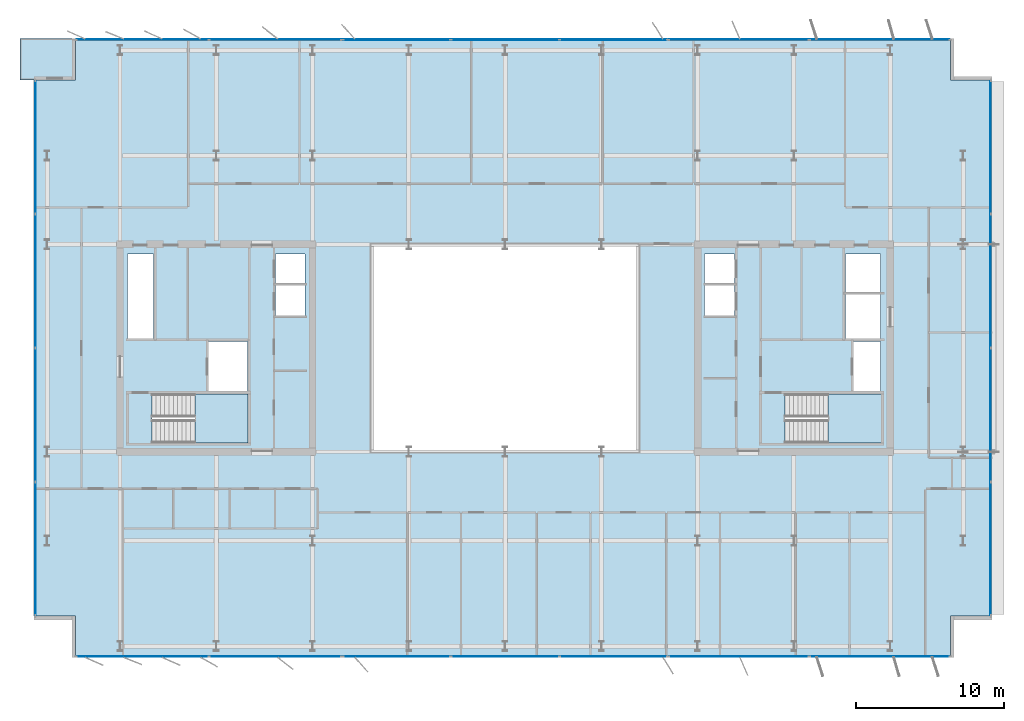
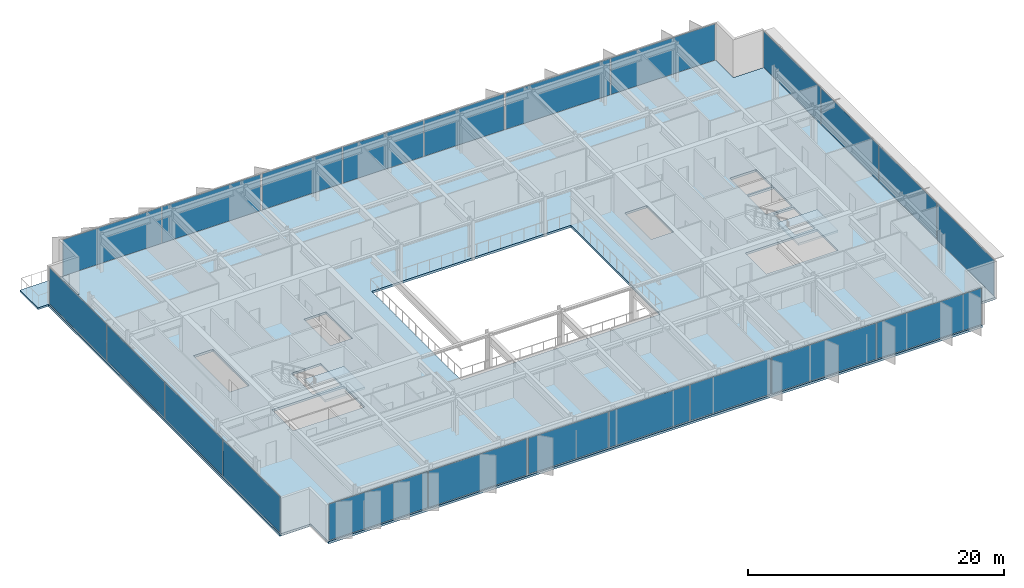
# One storey, part 11 of 20: 22 plates, 4 slabs, 10 elements without a shape of their own.
"""IFC4 building model written with IfcOpenShell, lengths in metres."""

from ifc_helpers import new_model, si_unit, direction, frame, origin, origin_2d, place, context, subcontext, project, spatial, polyline, rectangle, outline, extrude, material, layer, layer_set, type_object, element, aggregate, save


model = new_model("IFC4")

# Units and contexts
model_context = context("Model", 3, precision=1e-05, world=origin(), true_north=direction((0.0, 1.0)))
body_context = subcontext(model_context, "Body", "Model", "MODEL_VIEW")
ifc_project = project(units=[si_unit("LENGTHUNIT", "METRE"), si_unit("AREAUNIT", "SQUARE_METRE"), si_unit("VOLUMEUNIT", "CUBIC_METRE"), si_unit("PLANEANGLEUNIT", "RADIAN"), si_unit("MASSUNIT", "GRAM", prefix="KILO")], contexts=[model_context])

# Site, building, storey
site_placement = place(None, origin())
site = spatial("IfcSite", under=ifc_project, at=site_placement, CompositionType="ELEMENT")
building_placement = place(site_placement, origin())
building = spatial("IfcBuilding", under=site, at=building_placement, Name="Putna Gate Headquarters", CompositionType="ELEMENT")
storey_placement = place(building_placement, frame((0.0, 0.0, 274.60009765625)))
storey = spatial("IfcBuildingStorey", under=building, at=storey_placement, Name="L69", CompositionType="ELEMENT", Elevation=274.60009765625)

# Stair, slab
ifc_material_1 = material(Name="Concrete C40/50", Category="concrete")
stair_type_1 = type_object("IfcStairType", Name="STAIR-ST1", PredefinedType="HALF_TURN_STAIR", material=ifc_material_1)
stair_1_placement = place(storey_placement, origin())
stair_1 = element("IfcStair", 1, at=stair_1_placement, inside=storey, type_object=stair_type_1, Name="L69 West Core Exit Stair ST1", PredefinedType="HALF_TURN_STAIR")
ifc_layer_1 = layer(ifc_material_1, 0.199951171875)
ifc_layer_set_1 = layer_set([ifc_layer_1], Name="Concrete C40/50")
slab_type_1 = type_object("IfcSlabType", Name="LANDING-ST1", PredefinedType="LANDING", material=ifc_layer_set_1)
slab_1_placement = place(storey_placement, frame((0.0, 0.0, 1.699951171875)))
slab_1 = element("IfcSlab", 2, at=slab_1_placement, type_object=slab_type_1, Name="ST1 landing 1", PredefinedType="LANDING", context=body_context, shape_type="SweptSolid", body=[
    extrude(outline(polyline([(18.050048828125, 19.60009765625), (21.64990234375, 19.60009765625), (21.64990234375, 22.89990234375), (18.050048828125, 22.89990234375), (18.050048828125, 19.60009765625)])), origin(), (0.0, 0.0, 1.0), 0.199951171875),
])
aggregate(stair_1, [slab_1])

stair_type_2 = type_object("IfcStairType", Name="STAIR-ST2", PredefinedType="HALF_TURN_STAIR", material=ifc_material_1)
stair_2_placement = place(storey_placement, origin())
stair_2 = element("IfcStair", 3, at=stair_2_placement, inside=storey, type_object=stair_type_2, Name="L69 East Core Exit Stair ST2", PredefinedType="HALF_TURN_STAIR")
ifc_layer_2 = layer(ifc_material_1, 0.199951171875)
ifc_layer_set_2 = layer_set([ifc_layer_2], Name="Concrete C40/50")
slab_type_2 = type_object("IfcSlabType", Name="LANDING-ST2", PredefinedType="LANDING", material=ifc_layer_set_2)
slab_2_placement = place(storey_placement, frame((0.0, 0.0, 1.699951171875)))
slab_2 = element("IfcSlab", 4, at=slab_2_placement, type_object=slab_type_2, Name="ST2 landing 1", PredefinedType="LANDING", context=body_context, shape_type="SweptSolid", body=[
    extrude(outline(polyline([(60.800048828125, 19.60009765625), (64.39990234375, 19.60009765625), (64.39990234375, 22.89990234375), (60.800048828125, 22.89990234375), (60.800048828125, 19.60009765625)])), origin(), (0.0, 0.0, 1.0), 0.199951171875),
])
aggregate(stair_2, [slab_2])

# Curtain wall, plates
ifc_material_2 = material(Name="Anodised bronze aluminium curtain wall", Category="aluminium")
ifc_layer_3 = layer(ifc_material_2, 0.179931640625)
ifc_layer_set_3 = layer_set([ifc_layer_3], Name="Anodised bronze aluminium curtain wall")
curtain_wall_type_1 = type_object("IfcCurtainWallType", Name="CW-SYS-Z5", PredefinedType="USERDEFINED", material=ifc_layer_set_3)
curtain_wall_1_placement = place(storey_placement, origin())
curtain_wall_1 = element("IfcCurtainWall", 5, at=curtain_wall_1_placement, inside=storey, type_object=curtain_wall_type_1, Name="L69 South West Curtain Wall", ObjectType="STICK CURTAIN WALL", PredefinedType="USERDEFINED")
ifc_material_3 = material(Name="Solar-control triple low-E glass", Category="glass")
ifc_layer_4 = layer(ifc_material_3, 0.033935546875)
ifc_layer_set_4 = layer_set([ifc_layer_4], Name="Solar-control triple low-E glass")
plate_type_1 = type_object("IfcPlateType", Name="PAN-CWP-5", PredefinedType="CURTAIN_PANEL", material=ifc_layer_set_4)
plate_1_placement = place(storey_placement, frame((14.517578125, 5.179931640625, 0.06005859375), z_axis=(0.0, 0.0, 1.0), x_axis=(1.0, 0.0, 0.0)))
plate_1 = element("IfcPlate", 6, at=plate_1_placement, type_object=plate_type_1, Name="CWS-5 panel 1.1", PredefinedType="CURTAIN_PANEL", context=body_context, shape_type="SweptSolid", body=[
    extrude(rectangle(XDim=8.89501953125, YDim=0.033935546875, at=origin_2d()), origin(), (0.0, 0.0, 1.0), 3.468017578125),
])
plate_2_placement = place(storey_placement, frame((23.482421875, 5.179931640625, 0.06005859375), z_axis=(0.0, 0.0, 1.0), x_axis=(1.0, 0.0, 0.0)))
plate_2 = element("IfcPlate", 7, at=plate_2_placement, type_object=plate_type_1, Name="CWS-5 panel 2.1", PredefinedType="CURTAIN_PANEL", context=body_context, shape_type="SweptSolid", body=[
    extrude(rectangle(XDim=8.89501953125, YDim=0.033935546875, at=origin_2d()), origin(), (0.0, 0.0, 1.0), 3.468017578125),
])
aggregate(curtain_wall_1, [plate_1, plate_2])

curtain_wall_2_placement = place(storey_placement, origin())
curtain_wall_2 = element("IfcCurtainWall", 8, at=curtain_wall_2_placement, inside=storey, type_object=curtain_wall_type_1, Name="L69 South East Curtain Wall", ObjectType="STICK CURTAIN WALL", PredefinedType="USERDEFINED")
plate_3_placement = place(storey_placement, frame((54.78369140625, 5.179931640625, 0.06005859375), z_axis=(0.0, 0.0, 1.0), x_axis=(1.0, 0.0, 0.0)))
plate_3 = element("IfcPlate", 9, at=plate_3_placement, type_object=plate_type_1, Name="CWS-5 panel 1.1", PredefinedType="CURTAIN_PANEL", context=body_context, shape_type="SweptSolid", body=[
    extrude(rectangle(XDim=9.427490234375, YDim=0.033935546875, at=origin_2d()), origin(), (0.0, 0.0, 1.0), 3.468017578125),
])
plate_4_placement = place(storey_placement, frame((64.28125, 5.179931640625, 0.06005859375), z_axis=(0.0, 0.0, 1.0), x_axis=(1.0, 0.0, 0.0)))
plate_4 = element("IfcPlate", 10, at=plate_4_placement, type_object=plate_type_1, Name="CWS-5 panel 2.1", PredefinedType="CURTAIN_PANEL", context=body_context, shape_type="SweptSolid", body=[
    extrude(rectangle(XDim=9.427490234375, YDim=0.033935546875, at=origin_2d()), origin(), (0.0, 0.0, 1.0), 3.468017578125),
])
aggregate(curtain_wall_2, [plate_3, plate_4])

curtain_wall_3_placement = place(storey_placement, origin())
curtain_wall_3 = element("IfcCurtainWall", 11, at=curtain_wall_3_placement, inside=storey, type_object=curtain_wall_type_1, Name="L69 North West Curtain Wall", ObjectType="STICK CURTAIN WALL", PredefinedType="USERDEFINED")
plate_5_placement = place(storey_placement, frame((14.517578125, 46.820068359375, 0.06005859375), z_axis=(0.0, 0.0, 1.0), x_axis=(1.0, 0.0, 0.0)))
plate_5 = element("IfcPlate", 12, at=plate_5_placement, type_object=plate_type_1, Name="CWS-5 panel 1.1", PredefinedType="CURTAIN_PANEL", context=body_context, shape_type="SweptSolid", body=[
    extrude(rectangle(XDim=8.89501953125, YDim=0.033935546875, at=origin_2d()), origin(), (0.0, 0.0, 1.0), 3.468017578125),
])
plate_6_placement = place(storey_placement, frame((23.482421875, 46.820068359375, 0.06005859375), z_axis=(0.0, 0.0, 1.0), x_axis=(1.0, 0.0, 0.0)))
plate_6 = element("IfcPlate", 13, at=plate_6_placement, type_object=plate_type_1, Name="CWS-5 panel 2.1", PredefinedType="CURTAIN_PANEL", context=body_context, shape_type="SweptSolid", body=[
    extrude(rectangle(XDim=8.89501953125, YDim=0.033935546875, at=origin_2d()), origin(), (0.0, 0.0, 1.0), 3.468017578125),
])
aggregate(curtain_wall_3, [plate_5, plate_6])

curtain_wall_4_placement = place(storey_placement, origin())
curtain_wall_4 = element("IfcCurtainWall", 14, at=curtain_wall_4_placement, inside=storey, type_object=curtain_wall_type_1, Name="L69 North East Curtain Wall", ObjectType="STICK CURTAIN WALL", PredefinedType="USERDEFINED")
plate_7_placement = place(storey_placement, frame((54.78369140625, 46.820068359375, 0.06005859375), z_axis=(0.0, 0.0, 1.0), x_axis=(1.0, 0.0, 0.0)))
plate_7 = element("IfcPlate", 15, at=plate_7_placement, type_object=plate_type_1, Name="CWS-5 panel 1.1", PredefinedType="CURTAIN_PANEL", context=body_context, shape_type="SweptSolid", body=[
    extrude(rectangle(XDim=9.427490234375, YDim=0.033935546875, at=origin_2d()), origin(), (0.0, 0.0, 1.0), 3.468017578125),
])
plate_8_placement = place(storey_placement, frame((64.28125, 46.820068359375, 0.06005859375), z_axis=(0.0, 0.0, 1.0), x_axis=(1.0, 0.0, 0.0)))
plate_8 = element("IfcPlate", 16, at=plate_8_placement, type_object=plate_type_1, Name="CWS-5 panel 2.1", PredefinedType="CURTAIN_PANEL", context=body_context, shape_type="SweptSolid", body=[
    extrude(rectangle(XDim=9.427490234375, YDim=0.033935546875, at=origin_2d()), origin(), (0.0, 0.0, 1.0), 3.468017578125),
])
aggregate(curtain_wall_4, [plate_7, plate_8])

curtain_wall_5_placement = place(storey_placement, origin())
curtain_wall_5 = element("IfcCurtainWall", 17, at=curtain_wall_5_placement, inside=storey, type_object=curtain_wall_type_1, Name="L69 West Curtain Wall", ObjectType="STICK CURTAIN WALL", PredefinedType="USERDEFINED")
plate_9_placement = place(storey_placement, frame((7.280029296875, 12.4423828125, 0.06005859375), z_axis=(0.0, 0.0, 1.0), x_axis=(0.0, 1.0, 0.0)))
plate_9 = element("IfcPlate", 18, at=plate_9_placement, type_object=plate_type_1, Name="CWS-5 panel 1.1", PredefinedType="CURTAIN_PANEL", context=body_context, shape_type="SweptSolid", body=[
    extrude(rectangle(XDim=8.945068359375, YDim=0.033935546875, at=origin_2d()), origin(), (0.0, 0.0, 1.0), 3.468017578125),
])
plate_10_placement = place(storey_placement, frame((7.280029296875, 21.47509765625, 0.06005859375), z_axis=(0.0, 0.0, 1.0), x_axis=(0.0, 1.0, 0.0)))
plate_10 = element("IfcPlate", 19, at=plate_10_placement, type_object=plate_type_1, Name="CWS-5 panel 2.1", PredefinedType="CURTAIN_PANEL", context=body_context, shape_type="SweptSolid", body=[
    extrude(rectangle(XDim=8.97998046875, YDim=0.033935546875, at=origin_2d()), origin(), (0.0, 0.0, 1.0), 3.468017578125),
])
plate_11_placement = place(storey_placement, frame((7.280029296875, 30.52490234375, 0.06005859375), z_axis=(0.0, 0.0, 1.0), x_axis=(0.0, 1.0, 0.0)))
plate_11 = element("IfcPlate", 20, at=plate_11_placement, type_object=plate_type_1, Name="CWS-5 panel 3.1", PredefinedType="CURTAIN_PANEL", context=body_context, shape_type="SweptSolid", body=[
    extrude(rectangle(XDim=8.97998046875, YDim=0.033935546875, at=origin_2d()), origin(), (0.0, 0.0, 1.0), 3.468017578125),
])
plate_12_placement = place(storey_placement, frame((7.280029296875, 39.5576171875, 0.06005859375), z_axis=(0.0, 0.0, 1.0), x_axis=(0.0, 1.0, 0.0)))
plate_12 = element("IfcPlate", 21, at=plate_12_placement, type_object=plate_type_1, Name="CWS-5 panel 4.1", PredefinedType="CURTAIN_PANEL", context=body_context, shape_type="SweptSolid", body=[
    extrude(rectangle(XDim=8.945068359375, YDim=0.033935546875, at=origin_2d()), origin(), (0.0, 0.0, 1.0), 3.468017578125),
])
aggregate(curtain_wall_5, [plate_9, plate_10, plate_11, plate_12])

curtain_wall_6_placement = place(storey_placement, origin())
curtain_wall_6 = element("IfcCurtainWall", 22, at=curtain_wall_6_placement, inside=storey, type_object=curtain_wall_type_1, Name="L69 East Curtain Wall", ObjectType="STICK CURTAIN WALL", PredefinedType="USERDEFINED")
plate_13_placement = place(storey_placement, frame((71.784912109375, 12.4423828125, 0.06005859375), z_axis=(0.0, 0.0, 1.0), x_axis=(0.0, 1.0, 0.0)))
plate_13 = element("IfcPlate", 23, at=plate_13_placement, type_object=plate_type_1, Name="CWS-5 panel 1.1", PredefinedType="CURTAIN_PANEL", context=body_context, shape_type="SweptSolid", body=[
    extrude(rectangle(XDim=8.945068359375, YDim=0.033935546875, at=origin_2d()), origin(), (0.0, 0.0, 1.0), 3.468017578125),
])
plate_14_placement = place(storey_placement, frame((71.784912109375, 21.47509765625, 0.06005859375), z_axis=(0.0, 0.0, 1.0), x_axis=(0.0, 1.0, 0.0)))
plate_14 = element("IfcPlate", 24, at=plate_14_placement, type_object=plate_type_1, Name="CWS-5 panel 2.1", PredefinedType="CURTAIN_PANEL", context=body_context, shape_type="SweptSolid", body=[
    extrude(rectangle(XDim=8.97998046875, YDim=0.033935546875, at=origin_2d()), origin(), (0.0, 0.0, 1.0), 3.468017578125),
])
plate_15_placement = place(storey_placement, frame((71.784912109375, 30.52490234375, 0.06005859375), z_axis=(0.0, 0.0, 1.0), x_axis=(0.0, 1.0, 0.0)))
plate_15 = element("IfcPlate", 25, at=plate_15_placement, type_object=plate_type_1, Name="CWS-5 panel 3.1", PredefinedType="CURTAIN_PANEL", context=body_context, shape_type="SweptSolid", body=[
    extrude(rectangle(XDim=8.97998046875, YDim=0.033935546875, at=origin_2d()), origin(), (0.0, 0.0, 1.0), 3.468017578125),
])
plate_16_placement = place(storey_placement, frame((71.784912109375, 39.5576171875, 0.06005859375), z_axis=(0.0, 0.0, 1.0), x_axis=(0.0, 1.0, 0.0)))
plate_16 = element("IfcPlate", 26, at=plate_16_placement, type_object=plate_type_1, Name="CWS-5 panel 4.1", PredefinedType="CURTAIN_PANEL", context=body_context, shape_type="SweptSolid", body=[
    extrude(rectangle(XDim=8.945068359375, YDim=0.033935546875, at=origin_2d()), origin(), (0.0, 0.0, 1.0), 3.468017578125),
])
aggregate(curtain_wall_6, [plate_13, plate_14, plate_15, plate_16])

ifc_layer_5 = layer(ifc_material_2, 0.179931640625)
ifc_layer_set_5 = layer_set([ifc_layer_5], Name="Anodised bronze aluminium curtain wall")
curtain_wall_type_2 = type_object("IfcCurtainWallType", Name="CW-SYS-ATR", PredefinedType="USERDEFINED", material=ifc_layer_set_5)
curtain_wall_7_placement = place(storey_placement, origin())
curtain_wall_7 = element("IfcCurtainWall", 27, at=curtain_wall_7_placement, inside=storey, type_object=curtain_wall_type_2, Name="L69 South Atrium Clear Glazing", ObjectType="ATRIUM GLAZING", PredefinedType="USERDEFINED")
ifc_material_4 = material(Name="Clear low-iron triple glazing", Category="glass")
ifc_layer_6 = layer(ifc_material_4, 0.0400390625)
ifc_layer_set_6 = layer_set([ifc_layer_6], Name="Clear low-iron triple glazing")
plate_type_2 = type_object("IfcPlateType", Name="PAN-CWP-AT", PredefinedType="CURTAIN_PANEL", material=ifc_layer_set_6)
plate_17_placement = place(storey_placement, frame((31.68408203125, 5.179931640625, 0.06982421875), z_axis=(0.0, 0.0, 1.0), x_axis=(1.0, 0.0, 0.0)))
plate_17 = element("IfcPlate", 28, at=plate_17_placement, type_object=plate_type_2, Name="CWS-AT panel 1.1", PredefinedType="CURTAIN_PANEL", context=body_context, shape_type="SweptSolid", body=[
    extrude(rectangle(XDim=7.228271484375, YDim=0.0400390625, at=origin_2d()), origin(), (0.0, 0.0, 1.0), 3.447998046875),
])
plate_18_placement = place(storey_placement, frame((39.0, 5.179931640625, 0.06982421875), z_axis=(0.0, 0.0, 1.0), x_axis=(1.0, 0.0, 0.0)))
plate_18 = element("IfcPlate", 29, at=plate_18_placement, type_object=plate_type_2, Name="CWS-AT panel 2.1", PredefinedType="CURTAIN_PANEL", context=body_context, shape_type="SweptSolid", body=[
    extrude(rectangle(XDim=7.263427734375, YDim=0.0400390625, at=origin_2d()), origin(), (0.0, 0.0, 1.0), 3.447998046875),
])
plate_19_placement = place(storey_placement, frame((46.31591796875, 5.179931640625, 0.06982421875), z_axis=(0.0, 0.0, 1.0), x_axis=(1.0, 0.0, 0.0)))
plate_19 = element("IfcPlate", 30, at=plate_19_placement, type_object=plate_type_2, Name="CWS-AT panel 3.1", PredefinedType="CURTAIN_PANEL", context=body_context, shape_type="SweptSolid", body=[
    extrude(rectangle(XDim=7.228271484375, YDim=0.0400390625, at=origin_2d()), origin(), (0.0, 0.0, 1.0), 3.447998046875),
])
aggregate(curtain_wall_7, [plate_17, plate_18, plate_19])

curtain_wall_8_placement = place(storey_placement, origin())
curtain_wall_8 = element("IfcCurtainWall", 31, at=curtain_wall_8_placement, inside=storey, type_object=curtain_wall_type_2, Name="L69 North Atrium Clear Glazing", ObjectType="ATRIUM GLAZING", PredefinedType="USERDEFINED")
plate_20_placement = place(storey_placement, frame((31.68408203125, 46.820068359375, 0.06982421875), z_axis=(0.0, 0.0, 1.0), x_axis=(1.0, 0.0, 0.0)))
plate_20 = element("IfcPlate", 32, at=plate_20_placement, type_object=plate_type_2, Name="CWS-AT panel 1.1", PredefinedType="CURTAIN_PANEL", context=body_context, shape_type="SweptSolid", body=[
    extrude(rectangle(XDim=7.228271484375, YDim=0.0400390625, at=origin_2d()), origin(), (0.0, 0.0, 1.0), 3.447998046875),
])
plate_21_placement = place(storey_placement, frame((39.0, 46.820068359375, 0.06982421875), z_axis=(0.0, 0.0, 1.0), x_axis=(1.0, 0.0, 0.0)))
plate_21 = element("IfcPlate", 33, at=plate_21_placement, type_object=plate_type_2, Name="CWS-AT panel 2.1", PredefinedType="CURTAIN_PANEL", context=body_context, shape_type="SweptSolid", body=[
    extrude(rectangle(XDim=7.263427734375, YDim=0.0400390625, at=origin_2d()), origin(), (0.0, 0.0, 1.0), 3.447998046875),
])
plate_22_placement = place(storey_placement, frame((46.31591796875, 46.820068359375, 0.06982421875), z_axis=(0.0, 0.0, 1.0), x_axis=(1.0, 0.0, 0.0)))
plate_22 = element("IfcPlate", 34, at=plate_22_placement, type_object=plate_type_2, Name="CWS-AT panel 3.1", PredefinedType="CURTAIN_PANEL", context=body_context, shape_type="SweptSolid", body=[
    extrude(rectangle(XDim=7.228271484375, YDim=0.0400390625, at=origin_2d()), origin(), (0.0, 0.0, 1.0), 3.447998046875),
])
aggregate(curtain_wall_8, [plate_20, plate_21, plate_22])

# Slabs
ifc_layer_7 = layer(ifc_material_1, 0.179931640625)
ifc_layer_set_7 = layer_set([ifc_layer_7], Name="Concrete C40/50")
slab_type_3 = type_object("IfcSlabType", Name="SLAB-TERRACE-180", PredefinedType="FLOOR", material=ifc_layer_set_7)
slab_3_placement = place(storey_placement, frame((0.0, 0.0, -0.18017578125)))
element("IfcSlab", 35, at=slab_3_placement, inside=storey, type_object=slab_type_3, Name="L69 Spiral Sky-Garden Terrace Slab (NW)", PredefinedType="FLOOR", context=body_context, shape_type="SweptSolid", body=[
    extrude(outline(polyline([(6.25, 44.092041015625), (10.008056640625, 44.092041015625), (10.008056640625, 46.89990234375), (6.25, 46.89990234375), (6.25, 44.092041015625)])), origin(), (0.0, 0.0, 1.0), 0.18017578125),
])
ifc_layer_8 = layer(ifc_material_1, 0.2119140625)
ifc_layer_set_8 = layer_set([ifc_layer_8], Name="Concrete C40/50")
slab_type_4 = type_object("IfcSlabType", Name="SLAB-Z5-212", PredefinedType="FLOOR", material=ifc_layer_set_8)
slab_4_placement = place(storey_placement, frame((0.0, 0.0, -0.212158203125)))
element("IfcSlab", 36, at=slab_4_placement, inside=storey, type_object=slab_type_4, Name="L69 Composite Floor Slab", PredefinedType="FLOOR", context=body_context, shape_type="SweptSolid", body=[
    extrude(outline(polyline([(10.0, 5.10009765625), (69.06494140625, 5.10009765625), (69.06494140625, 7.89990234375), (71.864990234375, 7.89990234375), (71.864990234375, 44.10009765625), (69.06494140625, 44.10009765625), (69.06494140625, 46.89990234375), (10.0, 46.89990234375), (10.0, 44.10009765625), (7.199951171875, 44.10009765625), (7.199951171875, 7.89990234375), (10.0, 7.89990234375), (10.0, 5.10009765625)]), holes=[polyline([(15.1650390625, 19.60009765625), (21.64990234375, 19.60009765625), (21.64990234375, 22.89990234375), (15.1650390625, 22.89990234375), (15.1650390625, 19.60009765625)]), polyline([(57.9150390625, 19.60009765625), (64.39990234375, 19.60009765625), (64.39990234375, 22.89990234375), (57.9150390625, 22.89990234375), (57.9150390625, 19.60009765625)]), polyline([(13.52001953125, 26.659912109375), (15.280029296875, 26.659912109375), (15.280029296875, 32.35009765625), (13.52001953125, 32.35009765625), (13.52001953125, 26.659912109375)]), polyline([(61.969970703125, 29.780029296875), (64.35009765625, 29.780029296875), (64.35009765625, 32.35009765625), (61.969970703125, 32.35009765625), (61.969970703125, 29.780029296875)]), polyline([(18.97998046875, 23.1201171875), (21.6201171875, 23.1201171875), (21.6201171875, 26.4599609375), (18.97998046875, 26.4599609375), (18.97998046875, 23.1201171875)]), polyline([(62.52001953125, 23.1201171875), (64.35009765625, 23.1201171875), (64.35009765625, 26.4599609375), (62.52001953125, 26.4599609375), (62.52001953125, 23.1201171875)]), polyline([(61.969970703125, 26.659912109375), (64.35009765625, 26.659912109375), (64.35009765625, 29.6201171875), (61.969970703125, 29.6201171875), (61.969970703125, 26.659912109375)]), polyline([(23.5, 28.199951171875), (25.5, 28.199951171875), (25.5, 32.35009765625), (23.5, 32.35009765625), (23.5, 28.199951171875)]), polyline([(52.47998046875, 28.199951171875), (54.5, 28.199951171875), (54.5, 32.35009765625), (52.47998046875, 32.35009765625), (52.47998046875, 28.199951171875)]), polyline([(30.0, 19.0), (48.0, 19.0), (48.0, 33.0), (30.0, 33.0), (30.0, 19.0)])]), origin(), (0.0, 0.0, 1.0), 0.212158203125),
])

save(model, "model.ifc")
